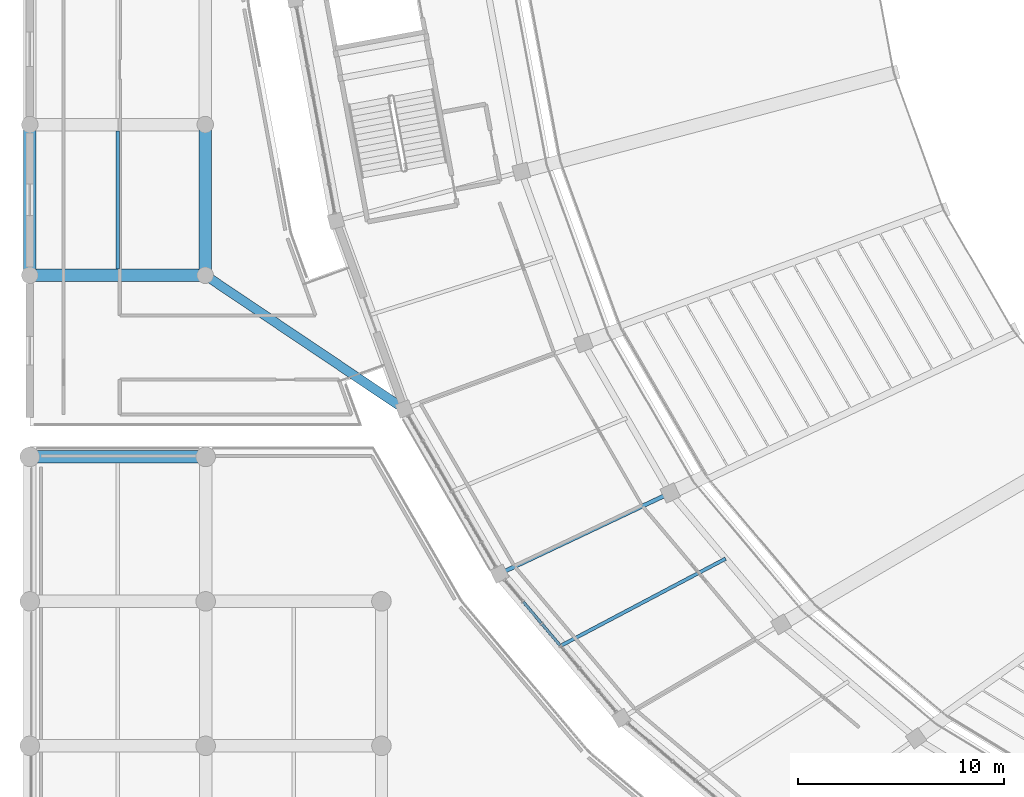
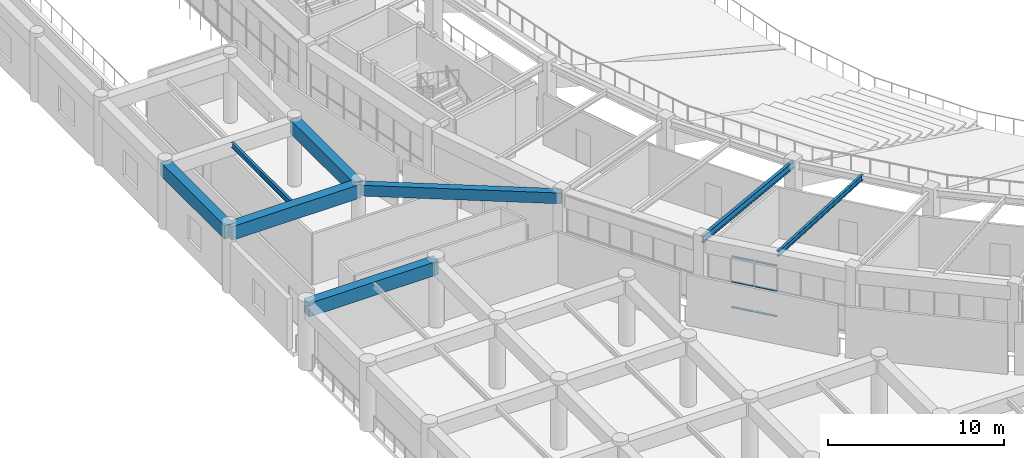
# One storey, part 18 of 137: 8 beams, 6 members, 1 element without a shape of its own.
"""IFC4 building model written with IfcOpenShell, lengths in metres."""

from ifc_helpers import new_model, si_unit, direction, frame, origin, origin_2d, place, context, subcontext, project, spatial, rectangle, i_section, extrude, material, layer, layer_set, material_profile, profile_set, type_object, element, aggregate, save


model = new_model("IFC4")

# Units and contexts
model_context = context("Model", 3, precision=1e-05, world=origin(), true_north=direction((0.0, 1.0)))
body_context = subcontext(model_context, "Body", "Model", "MODEL_VIEW")
ifc_project = project(units=[si_unit("LENGTHUNIT", "METRE"), si_unit("AREAUNIT", "SQUARE_METRE"), si_unit("VOLUMEUNIT", "CUBIC_METRE"), si_unit("PLANEANGLEUNIT", "RADIAN"), si_unit("MASSUNIT", "GRAM", prefix="KILO")], contexts=[model_context])

# Site, building, storey
site_placement = place(None, origin())
site = spatial("IfcSite", under=ifc_project, at=site_placement, CompositionType="ELEMENT")
building_placement = place(site_placement, origin())
building = spatial("IfcBuilding", under=site, at=building_placement, Name="Mphavela Belvedere Stadium", CompositionType="ELEMENT")
storey_placement = place(building_placement, frame((0.0, 0.0, 19.199951171875)))
storey = spatial("IfcBuildingStorey", under=building, at=storey_placement, Name="L04", CompositionType="ELEMENT", Elevation=19.199951171875)

# Beams
ifc_material_1 = material(Name="Concrete C40/50", Category="concrete")
ifc_material_profile_1 = material_profile(ifc_material_1, rectangle(XDim=0.60009765625, YDim=0.949951171875, at=origin_2d()), Name="RC 600x950")
ifc_profile_set_1 = profile_set([ifc_material_profile_1], Name="Concrete C40/50")
beam_type_1 = type_object("IfcBeamType", Name="BM-ENTABLATURE-950", PredefinedType="SPANDREL", material=ifc_profile_set_1)
beam_1_placement = place(storey_placement, frame((0.0, 49.0, 4.06494140625), z_axis=(1.0, 0.0, 0.0), x_axis=(0.0, 1.0, 0.0)))
element("IfcBeam", 1, at=beam_1_placement, inside=storey, type_object=beam_type_1, Name="South Axial Triumphal Peristyle Portico entablature beam X L04 1-8", PredefinedType="SPANDREL", context=body_context, shape_type="SweptSolid", body=[
    extrude(rectangle(XDim=0.60009765625, YDim=0.949951171875, at=origin_2d()), origin(), (0.0, 0.0, 1.0), 8.51904296875),
])
beam_2_placement = place(storey_placement, frame((0.0, 57.800048828125, 4.06494140625), z_axis=(1.0, 0.0, 0.0), x_axis=(0.0, 1.0, 0.0)))
element("IfcBeam", 2, at=beam_2_placement, inside=storey, type_object=beam_type_1, Name="West Planted Eaves Peristyle Colonnade entablature beam X L04 1-2", PredefinedType="SPANDREL", context=body_context, shape_type="SweptSolid", body=[
    extrude(rectangle(XDim=0.60009765625, YDim=0.949951171875, at=origin_2d()), origin(), (0.0, 0.0, 1.0), 8.5),
])
for number, where, z_axis, x_axis, name in (
    (3, (0.0, 57.800048828125, 4.06494140625), (0.0, 1.0, 0.0), (-1.0, 0.0, 0.0), "West Planted Eaves Peristyle Colonnade entablature beam Y L04 1-2"),
    (4, (8.5, 57.800048828125, 4.06494140625), (0.0, 1.0, 0.0), (-1.0, 0.0, 0.0), "West Planted Eaves Peristyle Colonnade entablature beam Y L04 2-2"),
):
    element("IfcBeam", number, at=place(storey_placement, frame(where, z_axis=z_axis, x_axis=x_axis)), inside=storey, type_object=beam_type_1, Name=name, PredefinedType="SPANDREL", context=body_context, shape_type="SweptSolid", body=[
        extrude(rectangle(XDim=0.60009765625, YDim=0.949951171875, at=origin_2d()), origin(), (0.0, 0.0, 1.0), 7.300048828125),
    ])
ifc_material_2 = material(Name="Steel S355", Category="steel")
ifc_material_profile_2 = material_profile(ifc_material_2, i_section(OverallWidth=0.169921875, OverallDepth=0.360107421875, WebThickness=0.008056640625, FlangeThickness=0.0126953125, at=origin_2d()), Name="IPE 360")
ifc_profile_set_2 = profile_set([ifc_material_profile_2], Name="Steel S355")
beam_type_2 = type_object("IfcBeamType", Name="BM-JOIST-IPE360", PredefinedType="JOIST", material=ifc_profile_set_2)
beam_3_placement = place(storey_placement, frame((33.7119140625, 44.06884765625, 4.3701171875), z_axis=(-0.884250771824, -0.467012390123, 0.0), x_axis=(0.467012390123, -0.884250771824, 0.0)))
element("IfcBeam", 5, at=beam_3_placement, inside=storey, type_object=beam_type_2, Name="Concourse floor joist L04-29", PredefinedType="JOIST", context=body_context, shape_type="SweptSolid", body=[
    extrude(i_section(OverallWidth=0.169921875, OverallDepth=0.360107421875, WebThickness=0.008056640625, FlangeThickness=0.0126953125, at=origin_2d()), origin(), (0.0, 0.0, 1.0), 9.0498046875),
])
beam_4_placement = place(storey_placement, frame((4.25, 58.10009765625, 4.360107421875), z_axis=(0.0, 1.0, 0.0), x_axis=(-1.0, 0.0, 0.0)))
element("IfcBeam", 6, at=beam_4_placement, inside=storey, type_object=beam_type_2, Name="West Planted Eaves Peristyle Colonnade secondary joist L04 1-2", PredefinedType="JOIST", context=body_context, shape_type="SweptSolid", body=[
    extrude(i_section(OverallWidth=0.169921875, OverallDepth=0.360107421875, WebThickness=0.008056640625, FlangeThickness=0.0126953125, at=origin_2d()), origin(), (0.0, 0.0, 1.0), 6.699951171875),
])
ifc_material_3 = material(Name="Concrete C40/50", Category="concrete")
ifc_material_profile_3 = material_profile(ifc_material_3, rectangle(XDim=0.449951171875, YDim=0.75, at=origin_2d()), Name="RC 450x750")
ifc_profile_set_3 = profile_set([ifc_material_profile_3], Name="Concrete C40/50")
beam_type_3 = type_object("IfcBeamType", Name="BM-RC450x750", PredefinedType="BEAM", material=ifc_profile_set_3)
beam_5_placement = place(storey_placement, frame((8.5, 57.800048828125, 4.06494140625), z_axis=(0.82993028647, -0.557867116436, 0.0), x_axis=(0.557867116436, 0.82993028647, 0.0)))
element("IfcBeam", 7, at=beam_5_placement, inside=storey, type_object=beam_type_3, Name="West Planted Eaves Peristyle Colonnade bowl link girder L04-5", PredefinedType="BEAM", context=body_context, shape_type="SweptSolid", body=[
    extrude(rectangle(XDim=0.449951171875, YDim=0.75, at=origin_2d()), origin(), (0.0, 0.0, 1.0), 11.6201171875),
])
ifc_material_4 = material(Name="Steel S355", Category="steel")
ifc_material_profile_4 = material_profile(ifc_material_4, i_section(OverallWidth=0.199951171875, OverallDepth=0.5, WebThickness=0.01025390625, FlangeThickness=0.01611328125, at=origin_2d()), Name="IPE 500")
ifc_profile_set_4 = profile_set([ifc_material_profile_4], Name="Steel S355")
beam_type_4 = type_object("IfcBeamType", Name="BM-STEEL-IPE500", PredefinedType="BEAM", material=ifc_profile_set_4)
beam_6_placement = place(storey_placement, frame((31.0244140625, 47.251708984375, 4.300048828125), z_axis=(-0.903845427073, -0.427859140325, 0.0), x_axis=(0.427859140325, -0.903845427073, 0.0)))
element("IfcBeam", 8, at=beam_6_placement, inside=storey, type_object=beam_type_4, Name="Radial concourse girder L04 R3R4-29", PredefinedType="BEAM", context=body_context, shape_type="SweptSolid", body=[
    extrude(i_section(OverallWidth=0.199951171875, OverallDepth=0.5, WebThickness=0.01025390625, FlangeThickness=0.01611328125, at=origin_2d()), origin(), (0.0, 0.0, 1.0), 9.146240234375),
])

# Curtain wall, members
ifc_material_5 = material(Name="Anodised bronze unitised curtain wall framing")
ifc_layer = layer(ifc_material_5, 0.195068359375)
ifc_layer_set = layer_set([ifc_layer], Name="Anodised bronze unitised curtain wall framing")
curtain_wall_type = type_object("IfcCurtainWallType", Name="CW-UNIT-04", PredefinedType="USERDEFINED", material=ifc_layer_set)
curtain_wall_placement = place(storey_placement, origin())
curtain_wall = element("IfcCurtainWall", 9, at=curtain_wall_placement, inside=storey, type_object=curtain_wall_type, Name="Belvedere colonnade curtain wall L04-29", ObjectType="UNITISED CURTAIN WALL", PredefinedType="USERDEFINED")
ifc_material_6 = material(Name="Anodised bronze extruded aluminium", Category="aluminium")
ifc_material_profile_5 = material_profile(ifc_material_6, rectangle(XDim=0.139892578125, YDim=0.06005859375, at=origin_2d()), Name="CW-TRN 140x60")
ifc_profile_set_5 = profile_set([ifc_material_profile_5], Name="Anodised bronze extruded aluminium")
member_type = type_object("IfcMemberType", Name="CWT-140x60", PredefinedType="USERDEFINED", material=ifc_profile_set_5)
member_1_placement = place(storey_placement, frame((23.912109375, 41.970947265625, 0.030029296875), z_axis=(0.645315102813, -0.763916499417, 0.0), x_axis=(0.763916499417, 0.645315102813, 0.0)))
member_1 = element("IfcMember", 10, at=member_1_placement, type_object=member_type, Name="CW-04 transom 2.1", ObjectType="TRANSOM", PredefinedType="USERDEFINED", context=body_context, shape_type="SweptSolid", body=[
    extrude(rectangle(XDim=0.139892578125, YDim=0.06005859375, at=origin_2d()), origin(), (0.0, 0.0, 1.0), 1.34423828125),
])
member_2_placement = place(storey_placement, frame((23.912109375, 41.970947265625, 1.78515625), z_axis=(0.645315102813, -0.763916499417, 0.0), x_axis=(0.763916499417, 0.645315102813, 0.0)))
member_2 = element("IfcMember", 11, at=member_2_placement, type_object=member_type, Name="CW-04 transom 2.2", ObjectType="TRANSOM", PredefinedType="USERDEFINED", context=body_context, shape_type="SweptSolid", body=[
    extrude(rectangle(XDim=0.139892578125, YDim=0.06005859375, at=origin_2d()), origin(), (0.0, 0.0, 1.0), 1.34423828125),
])
member_3_placement = place(storey_placement, frame((23.912109375, 41.970947265625, 3.5400390625), z_axis=(0.645315102813, -0.763916499417, 0.0), x_axis=(0.763916499417, 0.645315102813, 0.0)))
member_3 = element("IfcMember", 12, at=member_3_placement, type_object=member_type, Name="CW-04 transom 2.3", ObjectType="TRANSOM", PredefinedType="USERDEFINED", context=body_context, shape_type="SweptSolid", body=[
    extrude(rectangle(XDim=0.139892578125, YDim=0.06005859375, at=origin_2d()), origin(), (0.0, 0.0, 1.0), 1.34423828125),
])
member_4_placement = place(storey_placement, frame((24.8212890625, 40.894287109375, 0.030029296875), z_axis=(0.645315102813, -0.763916499417, 0.0), x_axis=(0.763916499417, 0.645315102813, 0.0)))
member_4 = element("IfcMember", 13, at=member_4_placement, type_object=member_type, Name="CW-04 transom 3.1", ObjectType="TRANSOM", PredefinedType="USERDEFINED", context=body_context, shape_type="SweptSolid", body=[
    extrude(rectangle(XDim=0.139892578125, YDim=0.06005859375, at=origin_2d()), origin(), (0.0, 0.0, 1.0), 1.34423828125),
])
member_5_placement = place(storey_placement, frame((24.8212890625, 40.894287109375, 1.78515625), z_axis=(0.645315102813, -0.763916499417, 0.0), x_axis=(0.763916499417, 0.645315102813, 0.0)))
member_5 = element("IfcMember", 14, at=member_5_placement, type_object=member_type, Name="CW-04 transom 3.2", ObjectType="TRANSOM", PredefinedType="USERDEFINED", context=body_context, shape_type="SweptSolid", body=[
    extrude(rectangle(XDim=0.139892578125, YDim=0.06005859375, at=origin_2d()), origin(), (0.0, 0.0, 1.0), 1.34423828125),
])
member_6_placement = place(storey_placement, frame((24.8212890625, 40.894287109375, 3.5400390625), z_axis=(0.645315102813, -0.763916499417, 0.0), x_axis=(0.763916499417, 0.645315102813, 0.0)))
member_6 = element("IfcMember", 15, at=member_6_placement, type_object=member_type, Name="CW-04 transom 3.3", ObjectType="TRANSOM", PredefinedType="USERDEFINED", context=body_context, shape_type="SweptSolid", body=[
    extrude(rectangle(XDim=0.139892578125, YDim=0.06005859375, at=origin_2d()), origin(), (0.0, 0.0, 1.0), 1.34423828125),
])
aggregate(curtain_wall, [member_1, member_2, member_3, member_4, member_5, member_6])

save(model, "model.ifc")
